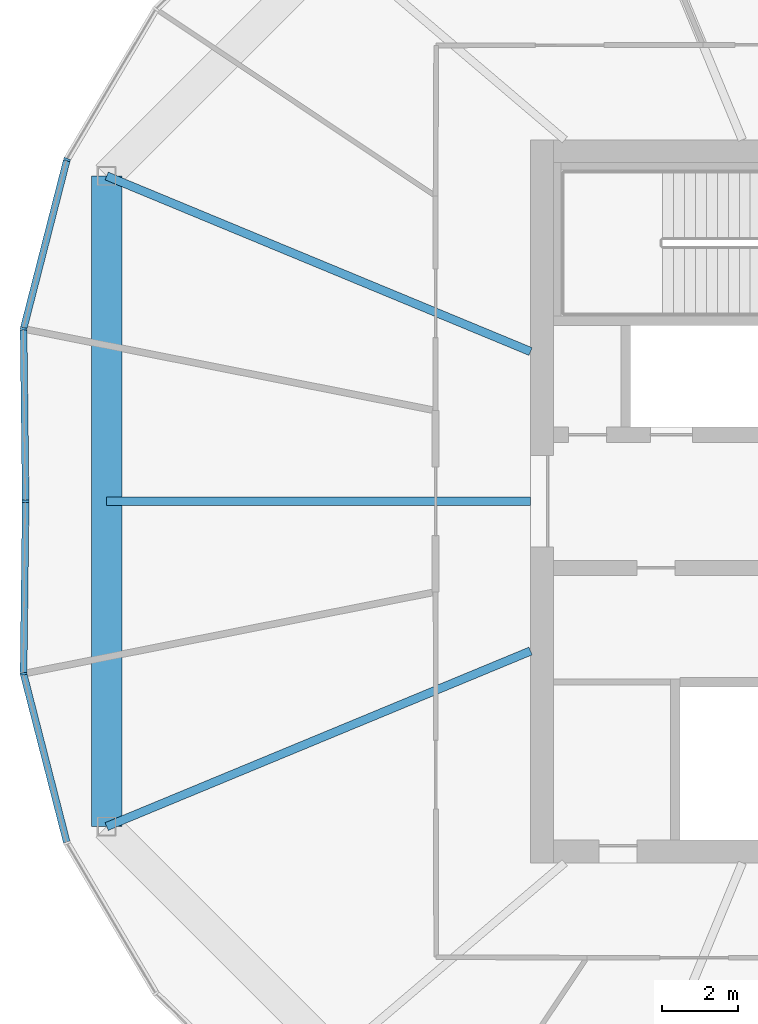
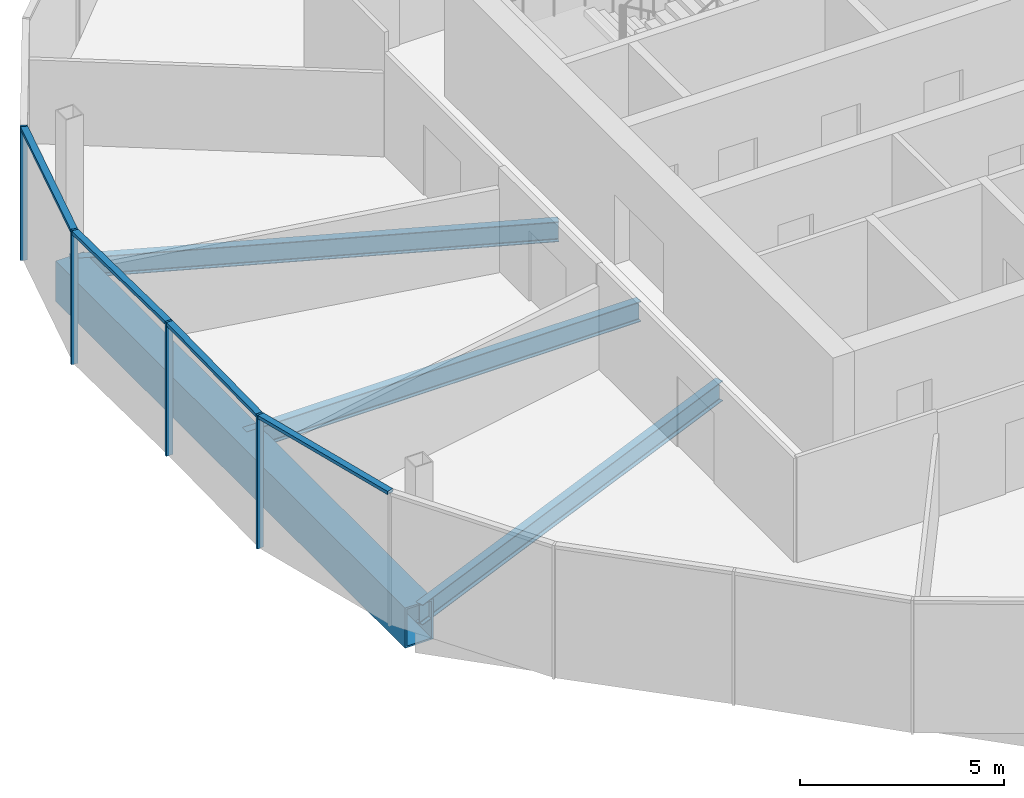
# One storey, part 4 of 25: 8 members, 4 beams, 2 elements without a shape of their own.
"""IFC4 building model written with IfcOpenShell, lengths in metres."""

from ifc_helpers import new_model, si_unit, direction, frame, origin, origin_2d, place, context, subcontext, project, spatial, rectangle, hollow_rectangle, i_section, extrude, material, material_profile, profile_set, type_object, element, aggregate, save


model = new_model("IFC4")

# Units and contexts
model_context = context("Model", 3, precision=1e-05, world=origin(), true_north=direction((0.0, 1.0)))
body_context = subcontext(model_context, "Body", "Model", "MODEL_VIEW")
ifc_project = project(units=[si_unit("LENGTHUNIT", "METRE"), si_unit("AREAUNIT", "SQUARE_METRE"), si_unit("VOLUMEUNIT", "CUBIC_METRE"), si_unit("PLANEANGLEUNIT", "RADIAN"), si_unit("MASSUNIT", "GRAM", prefix="KILO")], contexts=[model_context])

# Site, building, storey
site_placement = place(None, origin())
site = spatial("IfcSite", under=ifc_project, at=site_placement, CompositionType="ELEMENT")
building_placement = place(site_placement, origin())
building = spatial("IfcBuilding", under=site, at=building_placement, Name="Ogive Gate Towers", CompositionType="ELEMENT")
storey_placement = place(building_placement, frame((0.0, 0.0, 140.800048828125)))
storey = spatial("IfcBuildingStorey", under=building, at=storey_placement, Name="L33", CompositionType="ELEMENT", Elevation=140.800048828125)

# Beams
ifc_material_1 = material(Name="Steel SM460", Category="steel")
ifc_material_profile_1 = material_profile(ifc_material_1, hollow_rectangle(XDim=0.800048828125, YDim=1.199951171875, WallThickness=0.050048828125, at=origin_2d()), Name="BX 1200x800x50")
ifc_profile_set_1 = profile_set([ifc_material_profile_1], Name="Steel SM460")
beam_type_1 = type_object("IfcBeamType", Name="Edge girder BX 1200x800x50", PredefinedType="BEAM", material=ifc_profile_set_1)
beam_1_placement = place(storey_placement, frame((-56.639404296875, 8.549072265625, -0.900146484375), z_axis=(0.0, -1.0, 0.0), x_axis=(1.0, 0.0, 0.0)))
element("IfcBeam", 1, at=beam_1_placement, inside=storey, type_object=beam_type_1, Name="T1/L33/SBM024", PredefinedType="BEAM", context=body_context, shape_type="SweptSolid", body=[
    extrude(hollow_rectangle(XDim=0.800048828125, YDim=1.199951171875, WallThickness=0.050048828125, at=origin_2d()), origin(), (0.0, 0.0, 1.0), 17.09814453125),
])
ifc_material_2 = material(Name="Steel SM355", Category="steel")
ifc_material_profile_2 = material_profile(ifc_material_2, i_section(OverallWidth=0.219970703125, OverallDepth=0.60009765625, WebThickness=0.011962890625, FlangeThickness=0.01904296875, FilletRadius=0.02392578125, at=origin_2d()), Name="IPE 600")
ifc_profile_set_2 = profile_set([ifc_material_profile_2], Name="Steel SM355")
beam_type_2 = type_object("IfcBeamType", Name="Radial floor beam IPE 600", PredefinedType="BEAM", material=ifc_profile_set_2)
for number, where, z_axis, x_axis, name in (
    (2, (-45.5, -3.93505859375, -0.60009765625), (-0.923881839184, -0.382677863518, 0.0), (0.382677863518, -0.923881839184, 0.0), "T1/L33/SBM001"),
    (3, (-45.5, 3.93505859375, -0.60009765625), (-0.923881839184, 0.382677863518, 0.0), (-0.382677863518, -0.923881839184, 0.0), "T1/L33/SBM015"),
):
    element("IfcBeam", number, at=place(storey_placement, frame(where, z_axis=z_axis, x_axis=x_axis)), inside=storey, type_object=beam_type_2, Name=name, PredefinedType="BEAM", context=body_context, shape_type="SweptSolid", body=[
        extrude(i_section(OverallWidth=0.219970703125, OverallDepth=0.60009765625, WebThickness=0.011962890625, FlangeThickness=0.01904296875, FilletRadius=0.02392578125, at=origin_2d()), origin(), (0.0, 0.0, 1.0), 12.05712890625),
    ])
beam_2_placement = place(storey_placement, frame((-45.5, 0.0, -0.60009765625), z_axis=(-1.0, 0.0, 0.0), x_axis=(0.0, -1.0, 0.0)))
element("IfcBeam", 4, at=beam_2_placement, inside=storey, type_object=beam_type_2, Name="T1/L33/SBM016", PredefinedType="BEAM", context=body_context, shape_type="SweptSolid", body=[
    extrude(i_section(OverallWidth=0.219970703125, OverallDepth=0.60009765625, WebThickness=0.011962890625, FlangeThickness=0.01904296875, FilletRadius=0.02392578125, at=origin_2d()), origin(), (0.0, 0.0, 1.0), 11.139404296875),
])

# Curtain wall, members
ifc_material_3 = material(Name="Pale metal aluminium", Category="aluminium")
curtain_wall_type = type_object("IfcCurtainWallType", Name="Tower unitised wall, high zone", PredefinedType="NOTDEFINED", material=ifc_material_3)
curtain_wall_1_placement = place(storey_placement, origin())
curtain_wall_1 = element("IfcCurtainWall", 5, at=curtain_wall_1_placement, inside=storey, type_object=curtain_wall_type, Name="CW2 T1 ECW04", PredefinedType="NOTDEFINED")
ifc_material_profile_3 = material_profile(ifc_material_3, rectangle(XDim=0.179931640625, YDim=0.06005859375, at=origin_2d()), Name="60 x 180 aluminium box")
ifc_profile_set_3 = profile_set([ifc_material_profile_3], Name="Pale metal aluminium")
member_type_1 = type_object("IfcMemberType", Name="Tower unitised wall, high zone mullion 60 x 180", PredefinedType="MULLION", material=ifc_profile_set_3)
member_1_placement = place(storey_placement, frame((-57.684326171875, 8.98193359375, -0.300048828125), z_axis=(0.0, 0.0, 1.0), x_axis=(-0.923879532511, 0.382683432365, 0.0)))
member_1 = element("IfcMember", 6, at=member_1_placement, type_object=member_type_1, Name="CW2 mullion", PredefinedType="MULLION", context=body_context, shape_type="SweptSolid", body=[
    extrude(rectangle(XDim=0.179931640625, YDim=0.06005859375, at=origin_2d()), origin(), (0.0, 0.0, 1.0), 4.0),
])
member_2_placement = place(storey_placement, frame((-58.824951171875, 4.532958984375, -0.300048828125), z_axis=(0.0, 0.0, 1.0), x_axis=(-0.992876367296, 0.119149147143, 0.0)))
member_2 = element("IfcMember", 7, at=member_2_placement, type_object=member_type_1, Name="CW2 mullion", PredefinedType="MULLION", context=body_context, shape_type="SweptSolid", body=[
    extrude(rectangle(XDim=0.179931640625, YDim=0.06005859375, at=origin_2d()), origin(), (0.0, 0.0, 1.0), 4.0),
])
member_3_placement = place(storey_placement, frame((-58.77001953125, 0.0, -0.300048828125), z_axis=(0.0, 0.0, 1.0), x_axis=(-0.999927065729, -0.012077384797, 0.0)))
member_3 = element("IfcMember", 8, at=member_3_placement, type_object=member_type_1, Name="CW2 mullion", PredefinedType="MULLION", context=body_context, shape_type="SweptSolid", body=[
    extrude(rectangle(XDim=0.179931640625, YDim=0.06005859375, at=origin_2d()), origin(), (0.0, 0.0, 1.0), 4.0),
])

# Curtain wall, member
curtain_wall_2_placement = place(storey_placement, origin())
curtain_wall_2 = element("IfcCurtainWall", 9, at=curtain_wall_2_placement, inside=storey, type_object=curtain_wall_type, Name="CW2 T1 ECW05", PredefinedType="NOTDEFINED")
member_4_placement = place(storey_placement, frame((-58.824951171875, -4.532958984375, -0.300048828125), z_axis=(0.0, 0.0, 1.0), x_axis=(-0.992876367296, -0.119149147143, 0.0)))
member_4 = element("IfcMember", 10, at=member_4_placement, type_object=member_type_1, Name="CW2 mullion", PredefinedType="MULLION", context=body_context, shape_type="SweptSolid", body=[
    extrude(rectangle(XDim=0.179931640625, YDim=0.06005859375, at=origin_2d()), origin(), (0.0, 0.0, 1.0), 4.0),
])

# Member
ifc_material_profile_4 = material_profile(ifc_material_3, rectangle(XDim=0.179931640625, YDim=0.10009765625, at=origin_2d()), Name="100 x 180 aluminium box")
ifc_profile_set_4 = profile_set([ifc_material_profile_4], Name="Pale metal aluminium")
member_type_2 = type_object("IfcMemberType", Name="Tower unitised wall, high zone transom 100 x 180", PredefinedType="USERDEFINED", material=ifc_profile_set_4)
member_5_placement = place(storey_placement, frame((-57.69140625, 8.954345703125, 3.64990234375), z_axis=(-0.248306711985, -0.968681463012, 0.0), x_axis=(0.968681463012, -0.248306711985, 0.0)))
member_5 = element("IfcMember", 11, at=member_5_placement, type_object=member_type_2, Name="CW2 transom", ObjectType="TRANSOM", PredefinedType="USERDEFINED", context=body_context, shape_type="SweptSolid", body=[
    extrude(rectangle(XDim=0.179931640625, YDim=0.10009765625, at=origin_2d()), origin(), (0.0, 0.0, 1.0), 4.53564453125),
])

member_6_placement = place(storey_placement, frame((-58.824462890625, 4.50439453125, 3.64990234375), z_axis=(0.012057834543, -0.999927301671, 0.0), x_axis=(0.999927301671, 0.012057834543, 0.0)))
member_6 = element("IfcMember", 12, at=member_6_placement, type_object=member_type_2, Name="CW2 transom", ObjectType="TRANSOM", PredefinedType="USERDEFINED", context=body_context, shape_type="SweptSolid", body=[
    extrude(rectangle(XDim=0.179931640625, YDim=0.10009765625, at=origin_2d()), origin(), (0.0, 0.0, 1.0), 4.474609375),
])

aggregate(curtain_wall_1, [member_1, member_2, member_5, member_3, member_6])

member_7_placement = place(storey_placement, frame((-58.7705078125, -0.030029296875, 3.64990234375), z_axis=(-0.012057834543, -0.999927301671, 0.0), x_axis=(0.999927301671, -0.012057834543, 0.0)))
member_7 = element("IfcMember", 13, at=member_7_placement, type_object=member_type_2, Name="CW2 transom", ObjectType="TRANSOM", PredefinedType="USERDEFINED", context=body_context, shape_type="SweptSolid", body=[
    extrude(rectangle(XDim=0.179931640625, YDim=0.10009765625, at=origin_2d()), origin(), (0.0, 0.0, 1.0), 4.474609375),
])

member_8_placement = place(storey_placement, frame((-58.817626953125, -4.560791015625, 3.64990234375), z_axis=(0.248306711985, -0.968681463012, 0.0), x_axis=(0.968681463012, 0.248306711985, 0.0)))
member_8 = element("IfcMember", 14, at=member_8_placement, type_object=member_type_2, Name="CW2 transom", ObjectType="TRANSOM", PredefinedType="USERDEFINED", context=body_context, shape_type="SweptSolid", body=[
    extrude(rectangle(XDim=0.179931640625, YDim=0.10009765625, at=origin_2d()), origin(), (0.0, 0.0, 1.0), 4.53564453125),
])

aggregate(curtain_wall_2, [member_4, member_7, member_8])

save(model, "model.ifc")
